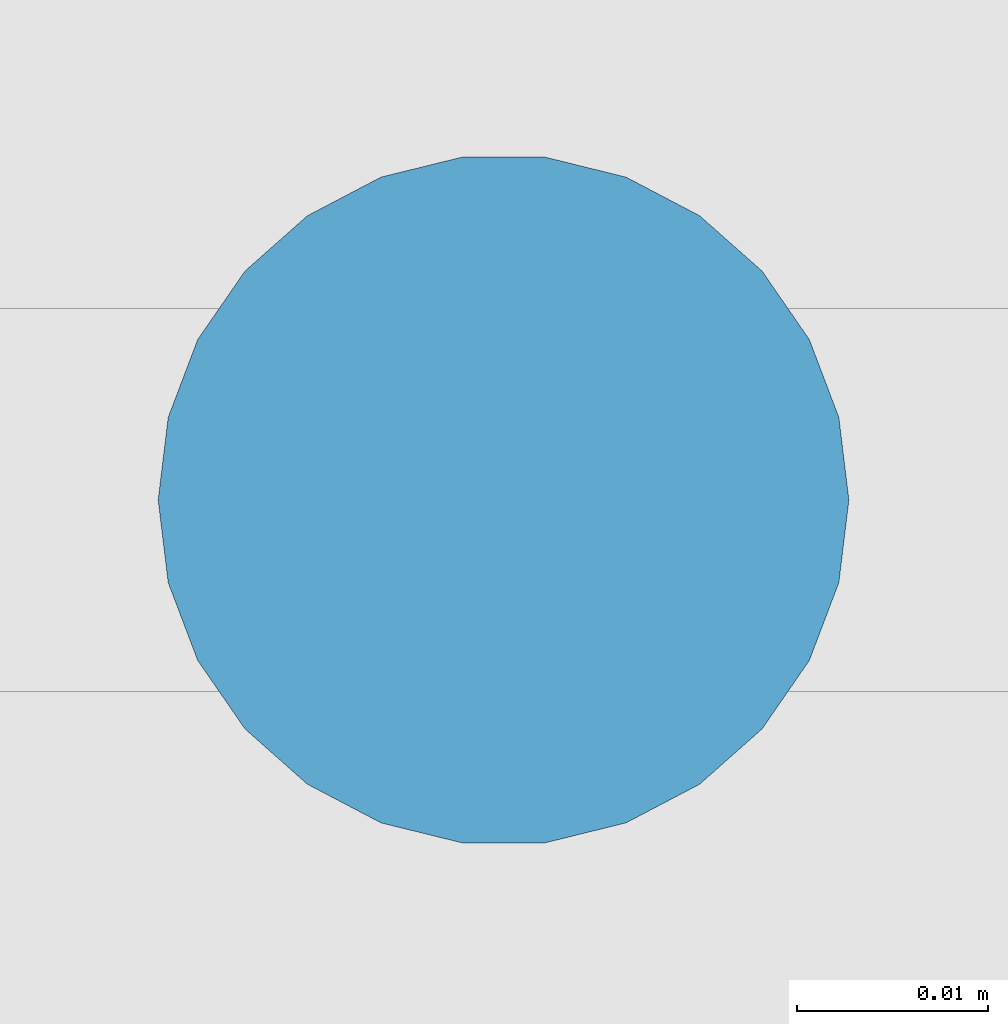
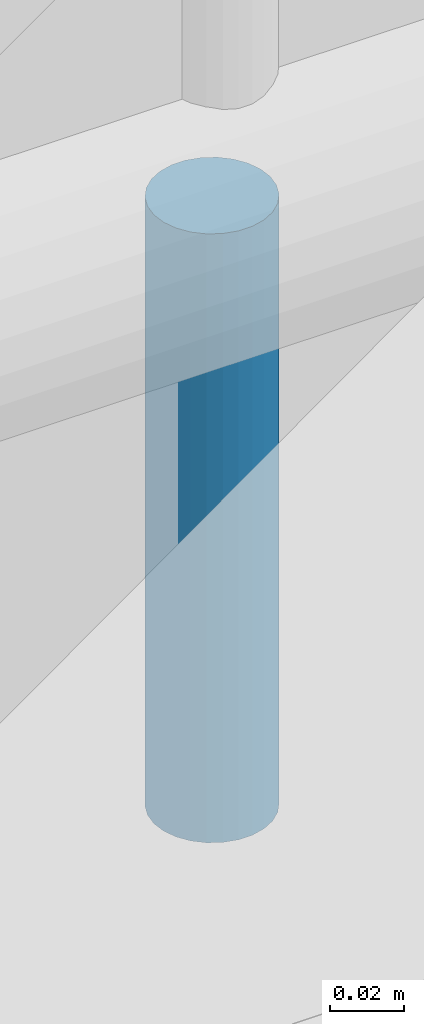
# One storey, part 236 of 321: 1 member.
"""IFC4 building model written with IfcOpenShell, lengths in metres."""

from ifc_helpers import new_model, si_unit, direction, frame, origin, origin_2d, place, context, subcontext, project, spatial, circle, extrude, material, material_profile, profile_set, type_object, element, save


model = new_model("IFC4")

# Units and contexts
model_context = context("Model", 3, precision=1e-05, world=origin(), true_north=direction((0.0, 1.0)))
body_context = subcontext(model_context, "Body", "Model", "MODEL_VIEW")
ifc_project = project(units=[si_unit("LENGTHUNIT", "METRE"), si_unit("AREAUNIT", "SQUARE_METRE"), si_unit("VOLUMEUNIT", "CUBIC_METRE"), si_unit("PLANEANGLEUNIT", "RADIAN"), si_unit("MASSUNIT", "GRAM", prefix="KILO")], contexts=[model_context])

# Site, building, storey
site_placement = place(None, origin())
site = spatial("IfcSite", under=ifc_project, at=site_placement, CompositionType="ELEMENT")
building_placement = place(site_placement, origin())
building = spatial("IfcBuilding", under=site, at=building_placement, Name="Ravi Spectrum Wholesale Market", CompositionType="ELEMENT")
storey_placement = place(building_placement, frame((0.0, 0.0, 10.800048828125)))
storey = spatial("IfcBuildingStorey", under=building, at=storey_placement, Name="L02", CompositionType="ELEMENT", Elevation=10.800048828125)

# Member
ifc_material = material(Name="Steel S355", Category="steel")
ifc_material_profile = material_profile(ifc_material, circle(Radius=0.01806640625, at=origin_2d()))
ifc_profile_set = profile_set([ifc_material_profile], Name="Steel S355")
member_type = type_object("IfcMemberType", Name="ROD 36 hanger", PredefinedType="STRUT", material=ifc_profile_set)
member_placement = place(storey_placement, frame((70.0, 30.0, 0.0), z_axis=(0.0, 0.0, -1.0), x_axis=(1.0, 0.0, 0.0)))
element("IfcMember", 1, at=member_placement, inside=storey, type_object=member_type, Name="H1-MB-L02-1730", PredefinedType="STRUT", context=body_context, shape_type="SweptSolid", body=[
    extrude(circle(Radius=0.01806640625, at=origin_2d()), origin(), (0.0, 0.0, 1.0), 0.199951171875),
])

save(model, "model.ifc")
